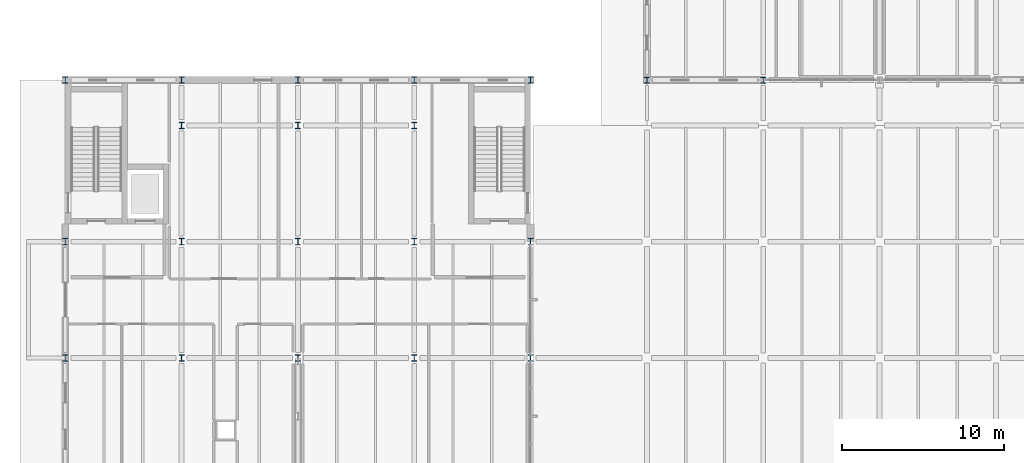
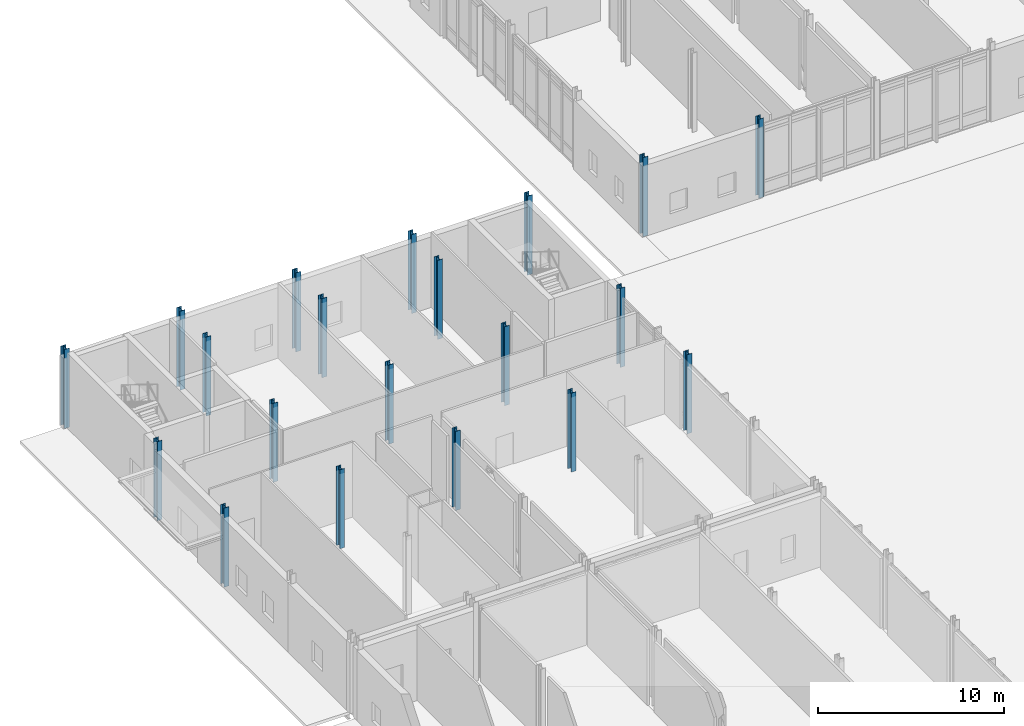
# One storey, part 7 of 89: 20 columns.
"""IFC4 building model written with IfcOpenShell, lengths in metres."""

from ifc_helpers import new_model, si_unit, direction, frame, origin, origin_2d, place, context, subcontext, project, spatial, i_section, extrude, material, material_profile, profile_set, type_object, element, save


model = new_model("IFC4")

# Units and contexts
model_context = context("Model", 3, precision=1e-05, world=origin(), true_north=direction((0.0, 1.0)))
body_context = subcontext(model_context, "Body", "Model", "MODEL_VIEW")
ifc_project = project(units=[si_unit("LENGTHUNIT", "METRE"), si_unit("AREAUNIT", "SQUARE_METRE"), si_unit("VOLUMEUNIT", "CUBIC_METRE"), si_unit("PLANEANGLEUNIT", "RADIAN"), si_unit("MASSUNIT", "GRAM", prefix="KILO")], contexts=[model_context])

# Site, building, storey
site_placement = place(None, origin())
site = spatial("IfcSite", under=ifc_project, at=site_placement, CompositionType="ELEMENT")
building_placement = place(site_placement, origin())
building = spatial("IfcBuilding", under=site, at=building_placement, Name="Zarrinpeak Specialist Clinic", CompositionType="ELEMENT")
storey_placement = place(building_placement, origin())
storey = spatial("IfcBuildingStorey", under=building, at=storey_placement, Name="L00", CompositionType="ELEMENT", Elevation=0.0)

# Columns
ifc_material = material(Name="Steel S355", Category="steel")
ifc_material_profile_1 = material_profile(ifc_material, i_section(OverallWidth=0.300048828125, OverallDepth=0.360107421875, WebThickness=0.012451171875, FlangeThickness=0.0224609375, FilletRadius=0.027099609375, at=origin_2d()), Name="HEB 360")
ifc_profile_set_1 = profile_set([ifc_material_profile_1], Name="Steel S355")
column_type_1 = type_object("IfcColumnType", Name="COL-HEB360", PredefinedType="COLUMN", material=ifc_profile_set_1)
for number, where, z_axis, x_axis, name in (
    (1, (36.0, 82.0, 0.0), (0.0, 0.0, 1.0), (1.0, 0.0, 0.0), "L00 Structural Column COL-L00-074"),
    (2, (43.199951171875, 82.0, 0.0), (0.0, 0.0, 1.0), (1.0, 0.0, 0.0), "L00 Structural Column COL-L00-084"),
):
    element("IfcColumn", number, at=place(storey_placement, frame(where, z_axis=z_axis, x_axis=x_axis)), inside=storey, type_object=column_type_1, Name=name, PredefinedType="COLUMN", context=body_context, shape_type="SweptSolid", body=[
        extrude(i_section(OverallWidth=0.300048828125, OverallDepth=0.360107421875, WebThickness=0.012451171875, FlangeThickness=0.0224609375, FilletRadius=0.027099609375, at=origin_2d()), origin(), (0.0, 0.0, 1.0), 5.199951171875),
    ])
ifc_material_profile_2 = material_profile(ifc_material, i_section(OverallWidth=0.300048828125, OverallDepth=0.39990234375, WebThickness=0.013427734375, FlangeThickness=0.02392578125, FilletRadius=0.027099609375, at=origin_2d()), Name="HEB 400")
ifc_profile_set_2 = profile_set([ifc_material_profile_2], Name="Steel S355")
column_type_2 = type_object("IfcColumnType", Name="COL-HEB400", PredefinedType="COLUMN", material=ifc_profile_set_2)
for number, where, z_axis, x_axis, name in (
    (3, (0.0, 64.800048828125, 0.0), (0.0, 0.0, 1.0), (1.0, 0.0, 0.0), "L00 Structural Column COL-L00-009"),
    (4, (0.0, 72.0, 0.0), (0.0, 0.0, 1.0), (1.0, 0.0, 0.0), "L00 Structural Column COL-L00-010"),
    (5, (0.0, 82.0, 0.0), (0.0, 0.0, 1.0), (1.0, 0.0, 0.0), "L00 Structural Column COL-L00-011"),
    (6, (7.199951171875, 64.800048828125, 0.0), (0.0, 0.0, 1.0), (1.0, 0.0, 0.0), "L00 Structural Column COL-L00-022"),
    (7, (7.199951171875, 72.0, 0.0), (0.0, 0.0, 1.0), (1.0, 0.0, 0.0), "L00 Structural Column COL-L00-023"),
    (8, (7.199951171875, 79.199951171875, 0.0), (0.0, 0.0, 1.0), (1.0, 0.0, 0.0), "L00 Structural Column COL-L00-024"),
    (9, (7.199951171875, 82.0, 0.0), (0.0, 0.0, 1.0), (1.0, 0.0, 0.0), "L00 Structural Column COL-L00-025"),
    (10, (14.39990234375, 64.800048828125, 0.0), (0.0, 0.0, 1.0), (1.0, 0.0, 0.0), "L00 Structural Column COL-L00-036"),
    (11, (14.39990234375, 72.0, 0.0), (0.0, 0.0, 1.0), (1.0, 0.0, 0.0), "L00 Structural Column COL-L00-037"),
    (12, (14.39990234375, 79.199951171875, 0.0), (0.0, 0.0, 1.0), (1.0, 0.0, 0.0), "L00 Structural Column COL-L00-038"),
    (13, (14.39990234375, 82.0, 0.0), (0.0, 0.0, 1.0), (1.0, 0.0, 0.0), "L00 Structural Column COL-L00-039"),
    (14, (21.60009765625, 64.800048828125, 0.0), (0.0, 0.0, 1.0), (1.0, 0.0, 0.0), "L00 Structural Column COL-L00-050"),
    (15, (21.60009765625, 72.0, 0.0), (0.0, 0.0, 1.0), (1.0, 0.0, 0.0), "L00 Structural Column COL-L00-051"),
    (16, (21.60009765625, 79.199951171875, 0.0), (0.0, 0.0, 1.0), (1.0, 0.0, 0.0), "L00 Structural Column COL-L00-052"),
    (17, (21.60009765625, 82.0, 0.0), (0.0, 0.0, 1.0), (1.0, 0.0, 0.0), "L00 Structural Column COL-L00-053"),
    (18, (28.800048828125, 64.800048828125, 0.0), (0.0, 0.0, 1.0), (1.0, 0.0, 0.0), "L00 Structural Column COL-L00-062"),
    (19, (28.800048828125, 72.0, 0.0), (0.0, 0.0, 1.0), (1.0, 0.0, 0.0), "L00 Structural Column COL-L00-063"),
    (20, (28.800048828125, 82.0, 0.0), (0.0, 0.0, 1.0), (1.0, 0.0, 0.0), "L00 Structural Column COL-L00-064"),
):
    element("IfcColumn", number, at=place(storey_placement, frame(where, z_axis=z_axis, x_axis=x_axis)), inside=storey, type_object=column_type_2, Name=name, PredefinedType="COLUMN", context=body_context, shape_type="SweptSolid", body=[
        extrude(i_section(OverallWidth=0.300048828125, OverallDepth=0.39990234375, WebThickness=0.013427734375, FlangeThickness=0.02392578125, FilletRadius=0.027099609375, at=origin_2d()), origin(), (0.0, 0.0, 1.0), 5.199951171875),
    ])

save(model, "model.ifc")
